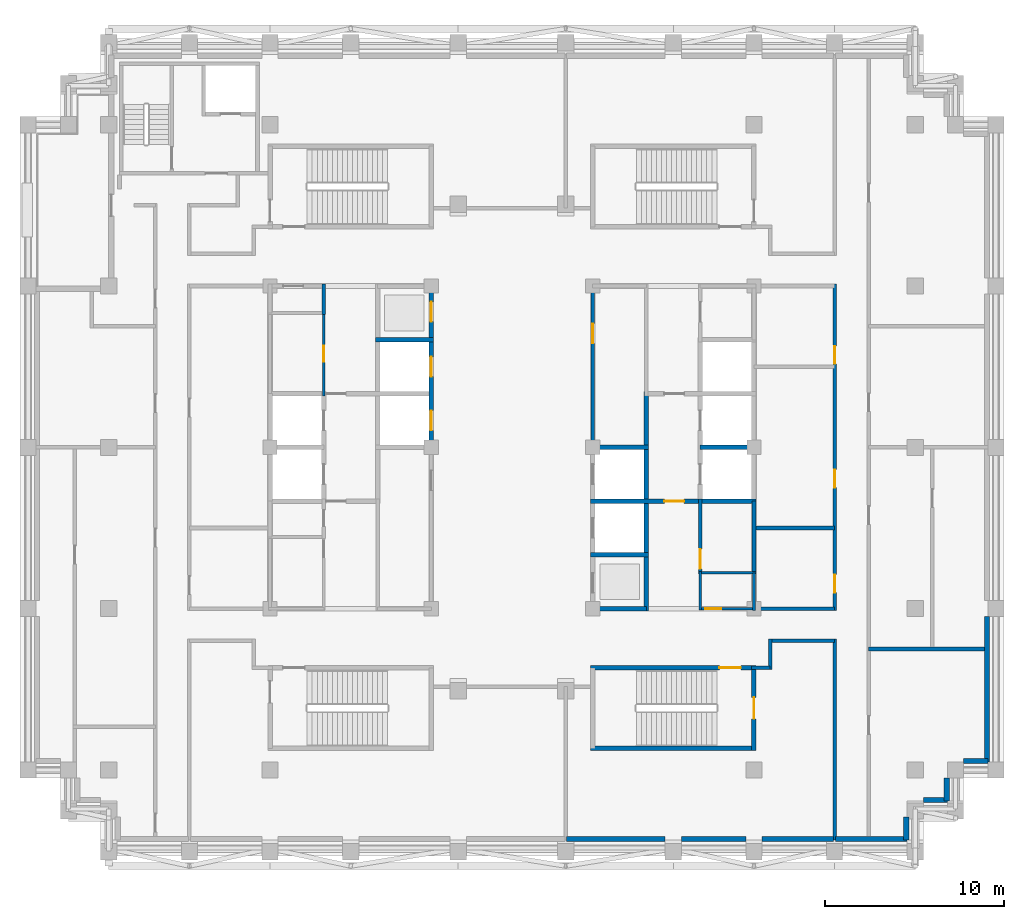
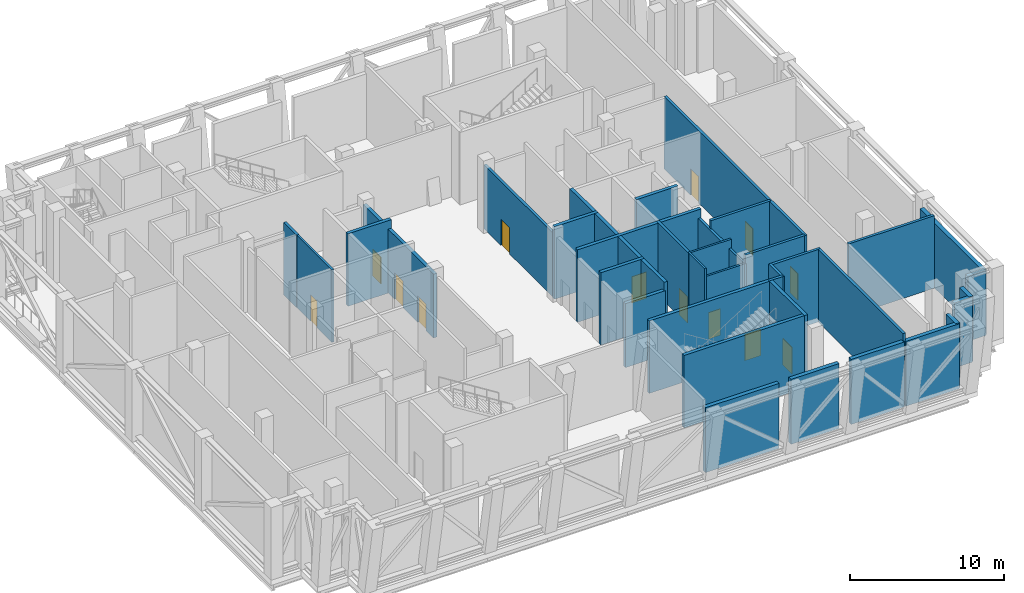
# One storey, part 5 of 11: 37 walls, 13 doors, 13 openings.
"""IFC4 building model written with IfcOpenShell, lengths in metres."""

from ifc_helpers import new_model, si_unit, direction, frame, frame_2d, origin, place, context, subcontext, project, spatial, rectangle, extrude, material, layer, layer_set, type_object, element, fill, save


model = new_model("IFC4")

# Units and contexts
model_context = context("Model", 3, precision=1e-05, world=origin(), true_north=direction((0.0, 1.0)))
body_context = subcontext(model_context, "Body", "Model", "MODEL_VIEW")
ifc_project = project(units=[si_unit("LENGTHUNIT", "METRE"), si_unit("AREAUNIT", "SQUARE_METRE"), si_unit("VOLUMEUNIT", "CUBIC_METRE"), si_unit("PLANEANGLEUNIT", "RADIAN"), si_unit("MASSUNIT", "GRAM", prefix="KILO")], contexts=[model_context])

# Site, building, storey
site_placement = place(None, origin())
site = spatial("IfcSite", under=ifc_project, at=site_placement, CompositionType="ELEMENT")
building_placement = place(site_placement, origin())
building = spatial("IfcBuilding", under=site, at=building_placement, Name="Corbelhall Arena Tower", CompositionType="ELEMENT")
storey_placement = place(building_placement, frame((0.0, 0.0, 294.0)))
storey = spatial("IfcBuildingStorey", under=building, at=storey_placement, Name="L64", CompositionType="ELEMENT", Elevation=294.0)

# Walls
ifc_material_1 = material(Name="Precast concrete C40/50 with granite facing", Category="masonry")
ifc_layer_1 = layer(ifc_material_1, 0.300048828125)
ifc_layer_set_1 = layer_set([ifc_layer_1], Name="EV-IW1 Infill panel 300")
wall_type_1 = type_object("IfcWallType", Name="EV-IW1 Infill panel 300", PredefinedType="SOLIDWALL", material=ifc_layer_set_1)
wall_1_placement = place(storey_placement, frame((3.050048828125, -21.85009765625, 0.0), z_axis=(0.0, 0.0, 1.0), x_axis=(1.0, 0.0, 0.0)))
element("IfcWall", 1, at=wall_1_placement, inside=storey, type_object=wall_type_1, Name="Infill panel IW1", PredefinedType="SOLIDWALL", context=body_context, shape_type="SweptSolid", body=[
    extrude(rectangle(XDim=5.5, YDim=0.300048828125, at=frame_2d((2.75, 0.0))), origin(), (0.0, 0.0, 1.0), 5.139892578125),
])
wall_2_placement = place(storey_placement, frame((9.449951171875, -21.85009765625, 0.0), z_axis=(0.0, 0.0, 1.0), x_axis=(1.0, 0.0, 0.0)))
element("IfcWall", 2, at=wall_2_placement, inside=storey, type_object=wall_type_1, Name="Infill panel IW1", PredefinedType="SOLIDWALL", context=body_context, shape_type="SweptSolid", body=[
    extrude(rectangle(XDim=3.60009765625, YDim=0.300048828125, at=frame_2d((1.800048828125, 0.0))), origin(), (0.0, 0.0, 1.0), 5.139892578125),
])
for number, where, z_axis, x_axis, name in (
    (3, (13.949951171875, -21.85009765625, 0.0), (0.0, 0.0, 1.0), (1.0, 0.0, 0.0), "Infill panel IW1"),
    (4, (18.050048828125, -21.85009765625, 0.0), (0.0, 0.0, 1.0), (1.0, 0.0, 0.0), "Infill panel IW1"),
):
    element("IfcWall", number, at=place(storey_placement, frame(where, z_axis=z_axis, x_axis=x_axis)), inside=storey, type_object=wall_type_1, Name=name, PredefinedType="SOLIDWALL", context=body_context, shape_type="SweptSolid", body=[
        extrude(rectangle(XDim=4.0, YDim=0.300048828125, at=frame_2d((2.0, 0.0))), origin(), (0.0, 0.0, 1.0), 5.139892578125),
    ])
wall_3_placement = place(storey_placement, frame((22.0, -21.89990234375, 0.0), z_axis=(0.0, 0.0, 1.0), x_axis=(0.0, 1.0, 0.0)))
element("IfcWall", 5, at=wall_3_placement, inside=storey, type_object=wall_type_1, Name="Infill panel IW1", PredefinedType="SOLIDWALL", context=body_context, shape_type="SweptSolid", body=[
    extrude(rectangle(XDim=1.27490234375, YDim=0.300048828125, at=frame_2d((0.637451171875, 0.0))), origin(), (0.0, 0.0, 1.0), 5.139892578125),
])
wall_4_placement = place(storey_placement, frame((22.949951171875, -19.675048828125, 0.0), z_axis=(0.0, 0.0, 1.0), x_axis=(1.0, 0.0, 0.0)))
element("IfcWall", 6, at=wall_4_placement, inside=storey, type_object=wall_type_1, Name="Infill panel IW1", PredefinedType="SOLIDWALL", context=body_context, shape_type="SweptSolid", body=[
    extrude(rectangle(XDim=1.35009765625, YDim=0.300048828125, at=frame_2d((0.675048828125, 0.0))), origin(), (0.0, 0.0, 1.0), 5.139892578125),
])
wall_5_placement = place(storey_placement, frame((24.25, -19.72509765625, 0.0), z_axis=(0.0, 0.0, 1.0), x_axis=(0.0, 1.0, 0.0)))
element("IfcWall", 7, at=wall_5_placement, inside=storey, type_object=wall_type_1, Name="Infill panel IW1", PredefinedType="SOLIDWALL", context=body_context, shape_type="SweptSolid", body=[
    extrude(rectangle(XDim=1.275146484375, YDim=0.300048828125, at=frame_2d((0.6376953125, 0.0))), origin(), (0.0, 0.0, 1.0), 5.139892578125),
])
wall_6_placement = place(storey_placement, frame((25.199951171875, -17.5, 0.0), z_axis=(0.0, 0.0, 1.0), x_axis=(1.0, 0.0, 0.0)))
element("IfcWall", 8, at=wall_6_placement, inside=storey, type_object=wall_type_1, Name="Infill panel IW1", PredefinedType="SOLIDWALL", context=body_context, shape_type="SweptSolid", body=[
    extrude(rectangle(XDim=1.35009765625, YDim=0.300048828125, at=frame_2d((0.675048828125, 0.0))), origin(), (0.0, 0.0, 1.0), 5.139892578125),
])
wall_7_placement = place(storey_placement, frame((26.5, -17.550048828125, 0.0), z_axis=(0.0, 0.0, 1.0), x_axis=(0.0, 1.0, 0.0)))
element("IfcWall", 9, at=wall_7_placement, inside=storey, type_object=wall_type_1, Name="Infill panel IW1", PredefinedType="SOLIDWALL", context=body_context, shape_type="SweptSolid", body=[
    extrude(rectangle(XDim=8.10009765625, YDim=0.300048828125, at=frame_2d((4.050048828125, 0.0))), origin(), (0.0, 0.0, 1.0), 5.139892578125),
])
ifc_material_2 = material(Name="Gypsum board on steel stud, acoustic", Category="steel")
ifc_layer_2 = layer(ifc_material_2, 0.199951171875)
ifc_layer_set_2 = layer_set([ifc_layer_2], Name="IN-W-DM200")
wall_type_2 = type_object("IfcWallType", Name="IN-W-DM200", PredefinedType="PARTITIONING", material=ifc_layer_set_2)
for number, where, z_axis, x_axis, name in (
    (10, (13.5, -9.0, 0.0), (0.0, 0.0, 1.0), (1.0, 0.0, 0.0), "Partition 028"),
    (11, (13.5, -4.5, 0.0), (0.0, 0.0, 1.0), (1.0, 0.0, 0.0), "Partition 029"),
):
    element("IfcWall", number, at=place(storey_placement, frame(where, z_axis=z_axis, x_axis=x_axis)), inside=storey, type_object=wall_type_2, Name=name, PredefinedType="PARTITIONING", context=body_context, shape_type="SweptSolid", body=[
        extrude(rectangle(XDim=4.5, YDim=0.199951171875, at=frame_2d((2.25, 0.0))), origin(), (0.0, 0.0, 1.0), 5.739990234375),
    ])
wall_8_placement = place(storey_placement, frame((14.39990234375, -12.300048828125, 0.0), z_axis=(0.0, 0.0, 1.0), x_axis=(-1.0, 0.0, 0.0)))
element("IfcWall", 12, at=wall_8_placement, inside=storey, type_object=wall_type_2, Name="Partition 031", PredefinedType="PARTITIONING", context=body_context, shape_type="SweptSolid", body=[
    extrude(rectangle(XDim=1.02490234375, YDim=0.199951171875, at=frame_2d((0.512451171875, 0.0))), origin(), (0.0, 0.0, 1.0), 5.739990234375),
])
wall_9_placement = place(storey_placement, frame((14.39990234375, -10.699951171875, 0.0), z_axis=(0.0, 0.0, 1.0), x_axis=(0.0, -1.0, 0.0)))
element("IfcWall", 13, at=wall_9_placement, inside=storey, type_object=wall_type_2, Name="Partition 032", PredefinedType="PARTITIONING", context=body_context, shape_type="SweptSolid", body=[
    extrude(rectangle(XDim=1.699951171875, YDim=0.199951171875, at=frame_2d((0.85009765625, 0.0))), origin(), (0.0, 0.0, 1.0), 5.739990234375),
])
wall_10_placement = place(storey_placement, frame((18.0, -21.89990234375, 0.0), z_axis=(0.0, 0.0, 1.0), x_axis=(0.0, 1.0, 0.0)))
element("IfcWall", 14, at=wall_10_placement, inside=storey, type_object=wall_type_2, Name="Partition 036", PredefinedType="PARTITIONING", context=body_context, shape_type="SweptSolid", body=[
    extrude(rectangle(XDim=11.199951171875, YDim=0.199951171875, at=frame_2d((5.60009765625, 0.0))), origin(), (0.0, 0.0, 1.0), 5.739990234375),
])
wall_11_placement = place(storey_placement, frame((18.0, -10.800048828125, 0.0), z_axis=(0.0, 0.0, 1.0), x_axis=(-1.0, 0.0, 0.0)))
element("IfcWall", 15, at=wall_11_placement, inside=storey, type_object=wall_type_2, Name="Partition 037", PredefinedType="PARTITIONING", context=body_context, shape_type="SweptSolid", body=[
    extrude(rectangle(XDim=3.60009765625, YDim=0.199951171875, at=frame_2d((1.800048828125, 0.0))), origin(), (0.0, 0.0, 1.0), 5.739990234375),
])

# Wall, openings, doors
wall_12_placement = place(storey_placement, frame((18.0, -9.10009765625, 0.0), z_axis=(0.0, 0.0, 1.0), x_axis=(0.0, 1.0, 0.0)))
wall_12 = element("IfcWall", 16, at=wall_12_placement, inside=storey, type_object=wall_type_2, Name="Partition 038", PredefinedType="PARTITIONING", context=body_context, shape_type="SweptSolid", body=[
    extrude(rectangle(XDim=18.2001953125, YDim=0.199951171875, at=frame_2d((9.10009765625, 0.0))), origin(), (0.0, 0.0, 1.0), 5.739990234375),
])
opening_1_placement = place(wall_12_placement, frame((1.0, 0.0, 0.0)))
opening_1 = element("IfcOpeningElement", 17, at=opening_1_placement, cuts=wall_12, Name="Opening 29019", PredefinedType="OPENING", context=body_context, shape_type="SweptSolid", body=[
    extrude(rectangle(XDim=1.0, YDim=2.10009765625, at=frame_2d((0.5, 1.050048828125))), frame((0.0, 0.10009765625, 0.0), z_axis=(0.0, -1.0, 0.0), x_axis=(1.0, 0.0, 0.0)), (0.0, 0.0, 1.0), 0.199951171875),
])
opening_2_placement = place(wall_12_placement, frame((6.85009765625, 0.0, 0.0)))
opening_2 = element("IfcOpeningElement", 18, at=opening_2_placement, cuts=wall_12, Name="Opening 29020", PredefinedType="OPENING", context=body_context, shape_type="SweptSolid", body=[
    extrude(rectangle(XDim=1.0, YDim=2.10009765625, at=frame_2d((0.5, 1.050048828125))), frame((0.0, 0.10009765625, 0.0), z_axis=(0.0, -1.0, 0.0), x_axis=(1.0, 0.0, 0.0)), (0.0, 0.0, 1.0), 0.199951171875),
])
opening_3_placement = place(wall_12_placement, frame((13.75, 0.0, 0.0)))
opening_3 = element("IfcOpeningElement", 19, at=opening_3_placement, cuts=wall_12, Name="Opening 29021", PredefinedType="OPENING", context=body_context, shape_type="SweptSolid", body=[
    extrude(rectangle(XDim=1.0, YDim=2.10009765625, at=frame_2d((0.5, 1.050048828125))), frame((0.0, 0.10009765625, 0.0), z_axis=(0.0, -1.0, 0.0), x_axis=(1.0, 0.0, 0.0)), (0.0, 0.0, 1.0), 0.199951171875),
])
ifc_material_3 = material(Name="Steel door set", Category="steel")
door_type_1 = type_object("IfcDoorType", Name="IN-D-SW100", OperationType="NOTDEFINED", PredefinedType="DOOR", material=ifc_material_3)
door_1_placement = place(opening_1_placement, origin())
door_1 = element("IfcDoor", 20, at=door_1_placement, inside=storey, type_object=door_type_1, Name="Door 019", OperationType="SINGLE_SWING_RIGHT", OverallHeight=2.10009765625, OverallWidth=1.0, PredefinedType="DOOR", context=body_context, shape_type="SweptSolid", body=[
    extrude(rectangle(XDim=1.0, YDim=2.10009765625, at=frame_2d((0.5, 1.050048828125))), frame((0.0, 0.02490234375, 0.0), z_axis=(0.0, -1.0, 0.0), x_axis=(1.0, 0.0, 0.0)), (0.0, 0.0, 1.0), 0.050048828125),
])
fill(opening_1, door_1)
door_2_placement = place(opening_2_placement, origin())
door_2 = element("IfcDoor", 21, at=door_2_placement, inside=storey, type_object=door_type_1, Name="Door 020", OperationType="SINGLE_SWING_LEFT", OverallHeight=2.10009765625, OverallWidth=1.0, PredefinedType="DOOR", context=body_context, shape_type="SweptSolid", body=[
    extrude(rectangle(XDim=1.0, YDim=2.10009765625, at=frame_2d((0.5, 1.050048828125))), frame((0.0, 0.02490234375, 0.0), z_axis=(0.0, -1.0, 0.0), x_axis=(1.0, 0.0, 0.0)), (0.0, 0.0, 1.0), 0.050048828125),
])
fill(opening_2, door_2)
door_3_placement = place(opening_3_placement, origin())
door_3 = element("IfcDoor", 22, at=door_3_placement, inside=storey, type_object=door_type_1, Name="Door 021", OperationType="SINGLE_SWING_RIGHT", OverallHeight=2.10009765625, OverallWidth=1.0, PredefinedType="DOOR", context=body_context, shape_type="SweptSolid", body=[
    extrude(rectangle(XDim=1.0, YDim=2.10009765625, at=frame_2d((0.5, 1.050048828125))), frame((0.0, 0.02490234375, 0.0), z_axis=(0.0, -1.0, 0.0), x_axis=(1.0, 0.0, 0.0)), (0.0, 0.0, 1.0), 0.050048828125),
])
fill(opening_3, door_3)

# Walls
wall_13_placement = place(storey_placement, frame((19.89990234375, -11.25, 0.0), z_axis=(0.0, 0.0, 1.0), x_axis=(1.0, 0.0, 0.0)))
element("IfcWall", 23, at=wall_13_placement, inside=storey, type_object=wall_type_2, Name="Partition 040", PredefinedType="PARTITIONING", context=body_context, shape_type="SweptSolid", body=[
    extrude(rectangle(XDim=6.4501953125, YDim=0.199951171875, at=frame_2d((3.22509765625, 0.0))), origin(), (0.0, 0.0, 1.0), 5.739990234375),
])
ifc_material_4 = material(Name="Concrete block wall", Category="concrete")
ifc_layer_3 = layer(ifc_material_4, 0.199951171875)
ifc_layer_set_3 = layer_set([ifc_layer_3], Name="IN-W-RS200")
wall_type_3 = type_object("IfcWallType", Name="IN-W-RS200", PredefinedType="SOLIDWALL", material=ifc_layer_set_3)
wall_14_placement = place(storey_placement, frame((-10.5, 7.425048828125, 0.0), z_axis=(0.0, 0.0, 1.0), x_axis=(0.0, 1.0, 0.0)))
element("IfcWall", 24, at=wall_14_placement, inside=storey, type_object=wall_type_3, Name="Partition 049", PredefinedType="SOLIDWALL", context=body_context, shape_type="SweptSolid", body=[
    extrude(rectangle(XDim=1.675048828125, YDim=0.199951171875, at=frame_2d((0.83740234375, 0.0))), origin(), (0.0, 0.0, 1.0), 5.739990234375),
])

# Wall, opening, door
wall_15_placement = place(storey_placement, frame((10.5, -2.875, 0.0), z_axis=(0.0, 0.0, 1.0), x_axis=(0.0, -1.0, 0.0)))
wall_15 = element("IfcWall", 25, at=wall_15_placement, inside=storey, type_object=wall_type_3, Name="Partition 056", PredefinedType="SOLIDWALL", context=body_context, shape_type="SweptSolid", body=[
    extrude(rectangle(XDim=4.199951171875, YDim=0.199951171875, at=frame_2d((2.10009765625, 0.0))), origin(), (0.0, 0.0, 1.0), 5.739990234375),
])
opening_4_placement = place(wall_15_placement, frame((2.800048828125, 0.0, 0.0)))
opening_4 = element("IfcOpeningElement", 26, at=opening_4_placement, cuts=wall_15, Name="Opening 29011", PredefinedType="OPENING", context=body_context, shape_type="SweptSolid", body=[
    extrude(rectangle(XDim=1.10009765625, YDim=2.10009765625, at=frame_2d((0.550048828125, 1.050048828125))), frame((0.0, 0.10009765625, 0.0), z_axis=(0.0, -1.0, 0.0), x_axis=(1.0, 0.0, 0.0)), (0.0, 0.0, 1.0), 0.199951171875),
])
door_type_2 = type_object("IfcDoorType", Name="IN-D-FD110", OperationType="NOTDEFINED", PredefinedType="DOOR", material=ifc_material_3)
door_4_placement = place(opening_4_placement, origin())
door_4 = element("IfcDoor", 27, at=door_4_placement, inside=storey, type_object=door_type_2, Name="Door 011", OperationType="SINGLE_SWING_RIGHT", OverallHeight=2.10009765625, OverallWidth=1.10009765625, PredefinedType="DOOR", context=body_context, shape_type="SweptSolid", body=[
    extrude(rectangle(XDim=1.10009765625, YDim=2.10009765625, at=frame_2d((0.550048828125, 1.050048828125))), frame((0.0, 0.02490234375, 0.0), z_axis=(0.0, -1.0, 0.0), x_axis=(1.0, 0.0, 0.0)), (0.0, 0.0, 1.0), 0.050048828125),
])
fill(opening_4, door_4)

ifc_layer_4 = layer(ifc_material_4, 0.199951171875)
ifc_layer_set_4 = layer_set([ifc_layer_4], Name="IN-W-RS200 under beam 678 mm")
wall_type_4 = type_object("IfcWallType", Name="IN-W-RS200 under beam 678 mm", PredefinedType="SOLIDWALL", material=ifc_layer_set_4)
wall_16_placement = place(storey_placement, frame((4.5, 0.0, 0.0), z_axis=(0.0, 0.0, 1.0), x_axis=(0.0, 1.0, 0.0)))
wall_16 = element("IfcWall", 28, at=wall_16_placement, inside=storey, type_object=wall_type_4, Name="Partition 053", PredefinedType="SOLIDWALL", context=body_context, shape_type="SweptSolid", body=[
    extrude(rectangle(XDim=9.10009765625, YDim=0.199951171875, at=frame_2d((4.550048828125, 0.0))), origin(), (0.0, 0.0, 1.0), 5.061767578125),
])
opening_5_placement = place(wall_16_placement, frame((5.800048828125, 0.0, 0.0)))
opening_5 = element("IfcOpeningElement", 29, at=opening_5_placement, cuts=wall_16, Name="Opening 29007", PredefinedType="OPENING", context=body_context, shape_type="SweptSolid", body=[
    extrude(rectangle(XDim=1.10009765625, YDim=2.10009765625, at=frame_2d((0.550048828125, 1.050048828125))), frame((0.0, 0.10009765625, 0.0), z_axis=(0.0, -1.0, 0.0), x_axis=(1.0, 0.0, 0.0)), (0.0, 0.0, 1.0), 0.199951171875),
])
door_5_placement = place(opening_5_placement, origin())
door_5 = element("IfcDoor", 30, at=door_5_placement, inside=storey, type_object=door_type_2, Name="Door 007", OperationType="SINGLE_SWING_RIGHT", OverallHeight=2.10009765625, OverallWidth=1.10009765625, PredefinedType="DOOR", context=body_context, shape_type="SweptSolid", body=[
    extrude(rectangle(XDim=1.10009765625, YDim=2.10009765625, at=frame_2d((0.550048828125, 1.050048828125))), frame((0.0, 0.02490234375, 0.0), z_axis=(0.0, -1.0, 0.0), x_axis=(1.0, 0.0, 0.0)), (0.0, 0.0, 1.0), 0.050048828125),
])
fill(opening_5, door_5)

# Walls
wall_17_placement = place(storey_placement, frame((13.5, -3.0, 0.0), z_axis=(0.0, 0.0, 1.0), x_axis=(0.0, -1.0, 0.0)))
element("IfcWall", 31, at=wall_17_placement, inside=storey, type_object=wall_type_4, Name="Partition 059", PredefinedType="SOLIDWALL", context=body_context, shape_type="SweptSolid", body=[
    extrude(rectangle(XDim=4.0, YDim=0.199951171875, at=frame_2d((2.0, 0.0))), origin(), (0.0, 0.0, 1.0), 5.061767578125),
])
ifc_material_5 = material(Name="Concrete C40/50", Category="concrete")
ifc_layer_5 = layer(ifc_material_5, 0.25)
ifc_layer_set_5 = layer_set([ifc_layer_5], Name="IN-W-SH250")
wall_type_5 = type_object("IfcWallType", Name="IN-W-SH250", PredefinedType="SOLIDWALL", material=ifc_layer_set_5)
for number, where, z_axis, x_axis, name in (
    (32, (-7.625, 6.0, 0.0), (0.0, 0.0, 1.0), (1.0, 0.0, 0.0), "Shaft wall 067"),
    (33, (4.375, -6.0, 0.0), (0.0, 0.0, 1.0), (1.0, 0.0, 0.0), "Shaft wall 071"),
):
    element("IfcWall", number, at=place(storey_placement, frame(where, z_axis=z_axis, x_axis=x_axis)), inside=storey, type_object=wall_type_5, Name=name, PredefinedType="SOLIDWALL", context=body_context, shape_type="SweptSolid", body=[
        extrude(rectangle(XDim=3.25, YDim=0.25, at=frame_2d((1.625, 0.0))), origin(), (0.0, 0.0, 1.0), 5.739990234375),
    ])

# Wall, opening, door
wall_18_placement = place(storey_placement, frame((4.375, -3.0, 0.0), z_axis=(0.0, 0.0, 1.0), x_axis=(1.0, 0.0, 0.0)))
wall_18 = element("IfcWall", 34, at=wall_18_placement, inside=storey, type_object=wall_type_5, Name="Shaft wall 072", PredefinedType="SOLIDWALL", context=body_context, shape_type="SweptSolid", body=[
    extrude(rectangle(XDim=9.25, YDim=0.25, at=frame_2d((4.625, 0.0))), origin(), (0.0, 0.0, 1.0), 5.739990234375),
])
opening_6_placement = place(wall_18_placement, frame((4.125, 0.0, 0.0)))
opening_6 = element("IfcOpeningElement", 35, at=opening_6_placement, cuts=wall_18, Name="Opening 29008", PredefinedType="OPENING", context=body_context, shape_type="SweptSolid", body=[
    extrude(rectangle(XDim=1.10009765625, YDim=2.10009765625, at=frame_2d((0.550048828125, 1.050048828125))), frame((0.0, 0.125, 0.0), z_axis=(0.0, -1.0, 0.0), x_axis=(1.0, 0.0, 0.0)), (0.0, 0.0, 1.0), 0.25),
])
door_6_placement = place(opening_6_placement, origin())
door_6 = element("IfcDoor", 36, at=door_6_placement, inside=storey, type_object=door_type_2, Name="Door 008", OperationType="SINGLE_SWING_LEFT", OverallHeight=2.10009765625, OverallWidth=1.10009765625, PredefinedType="DOOR", context=body_context, shape_type="SweptSolid", body=[
    extrude(rectangle(XDim=1.10009765625, YDim=2.10009765625, at=frame_2d((0.550048828125, 1.050048828125))), frame((0.0, 0.02490234375, 0.0), z_axis=(0.0, -1.0, 0.0), x_axis=(1.0, 0.0, 0.0)), (0.0, 0.0, 1.0), 0.050048828125),
])
fill(opening_6, door_6)

# Walls
wall_19_placement = place(storey_placement, frame((4.375, 0.0, 0.0), z_axis=(0.0, 0.0, 1.0), x_axis=(1.0, 0.0, 0.0)))
element("IfcWall", 37, at=wall_19_placement, inside=storey, type_object=wall_type_5, Name="Shaft wall 073", PredefinedType="SOLIDWALL", context=body_context, shape_type="SweptSolid", body=[
    extrude(rectangle(XDim=3.25, YDim=0.25, at=frame_2d((1.625, 0.0))), origin(), (0.0, 0.0, 1.0), 5.739990234375),
])
wall_20_placement = place(storey_placement, frame((7.5, 3.125, 0.0), z_axis=(0.0, 0.0, 1.0), x_axis=(0.0, -1.0, 0.0)))
element("IfcWall", 38, at=wall_20_placement, inside=storey, type_object=wall_type_5, Name="Shaft wall 076", PredefinedType="SOLIDWALL", context=body_context, shape_type="SweptSolid", body=[
    extrude(rectangle(XDim=12.25, YDim=0.25, at=frame_2d((6.125, 0.0))), origin(), (0.0, 0.0, 1.0), 5.739990234375),
])
wall_21_placement = place(storey_placement, frame((10.5, 0.0, 0.0), z_axis=(0.0, 0.0, 1.0), x_axis=(1.0, 0.0, 0.0)))
element("IfcWall", 39, at=wall_21_placement, inside=storey, type_object=wall_type_5, Name="Shaft wall 078", PredefinedType="SOLIDWALL", context=body_context, shape_type="SweptSolid", body=[
    extrude(rectangle(XDim=3.125, YDim=0.25, at=frame_2d((1.5625, 0.0))), origin(), (0.0, 0.0, 1.0), 5.739990234375),
])

# Wall, openings, doors
ifc_layer_6 = layer(ifc_material_5, 0.25)
ifc_layer_set_6 = layer_set([ifc_layer_6], Name="IN-W-SH250 under beam 678 mm")
wall_type_6 = type_object("IfcWallType", Name="IN-W-SH250 under beam 678 mm", PredefinedType="SOLIDWALL", material=ifc_layer_set_6)
wall_22_placement = place(storey_placement, frame((-4.5, 9.125, 0.0), z_axis=(0.0, 0.0, 1.0), x_axis=(0.0, -1.0, 0.0)))
wall_22 = element("IfcWall", 40, at=wall_22_placement, inside=storey, type_object=wall_type_6, Name="Shaft wall 070", PredefinedType="SOLIDWALL", context=body_context, shape_type="SweptSolid", body=[
    extrude(rectangle(XDim=9.125, YDim=0.25, at=frame_2d((4.5625, 0.0))), origin(), (0.0, 0.0, 1.0), 5.061767578125),
])
opening_7_placement = place(wall_22_placement, frame((7.074951171875, 0.0, 0.0)))
opening_7 = element("IfcOpeningElement", 41, at=opening_7_placement, cuts=wall_22, Name="Opening LD", PredefinedType="OPENING", context=body_context, shape_type="SweptSolid", body=[
    extrude(rectangle(XDim=1.10009765625, YDim=2.10009765625, at=frame_2d((0.550048828125, 1.050048828125))), frame((0.0, 0.125, 0.0), z_axis=(0.0, -1.0, 0.0), x_axis=(1.0, 0.0, 0.0)), (0.0, 0.0, 1.0), 0.25),
])
opening_8_placement = place(wall_22_placement, frame((4.074951171875, 0.0, 0.0)))
opening_8 = element("IfcOpeningElement", 42, at=opening_8_placement, cuts=wall_22, Name="Opening LD", PredefinedType="OPENING", context=body_context, shape_type="SweptSolid", body=[
    extrude(rectangle(XDim=1.10009765625, YDim=2.10009765625, at=frame_2d((0.550048828125, 1.050048828125))), frame((0.0, 0.125, 0.0), z_axis=(0.0, -1.0, 0.0), x_axis=(1.0, 0.0, 0.0)), (0.0, 0.0, 1.0), 0.25),
])
opening_9_placement = place(wall_22_placement, frame((1.012451171875, 0.0, 0.0)))
opening_9 = element("IfcOpeningElement", 43, at=opening_9_placement, cuts=wall_22, Name="Opening LD", PredefinedType="OPENING", context=body_context, shape_type="SweptSolid", body=[
    extrude(rectangle(XDim=1.10009765625, YDim=2.10009765625, at=frame_2d((0.550048828125, 1.050048828125))), frame((0.0, 0.125, 0.0), z_axis=(0.0, -1.0, 0.0), x_axis=(1.0, 0.0, 0.0)), (0.0, 0.0, 1.0), 0.25),
])
door_type_3 = type_object("IfcDoorType", Name="IN-D-LD110", OperationType="NOTDEFINED", PredefinedType="DOOR", material=ifc_material_3)
door_7_placement = place(opening_7_placement, origin())
door_7 = element("IfcDoor", 44, at=door_7_placement, inside=storey, type_object=door_type_3, Name="Landing door W4", OperationType="SLIDING_TO_LEFT", OverallHeight=2.10009765625, OverallWidth=1.10009765625, PredefinedType="DOOR", context=body_context, shape_type="SweptSolid", body=[
    extrude(rectangle(XDim=1.10009765625, YDim=2.10009765625, at=frame_2d((0.550048828125, 1.050048828125))), frame((0.0, 0.02490234375, 0.0), z_axis=(0.0, -1.0, 0.0), x_axis=(1.0, 0.0, 0.0)), (0.0, 0.0, 1.0), 0.050048828125),
])
fill(opening_7, door_7)
door_8_placement = place(opening_8_placement, origin())
door_8 = element("IfcDoor", 45, at=door_8_placement, inside=storey, type_object=door_type_3, Name="Landing door W5", OperationType="SLIDING_TO_LEFT", OverallHeight=2.10009765625, OverallWidth=1.10009765625, PredefinedType="DOOR", context=body_context, shape_type="SweptSolid", body=[
    extrude(rectangle(XDim=1.10009765625, YDim=2.10009765625, at=frame_2d((0.550048828125, 1.050048828125))), frame((0.0, 0.02490234375, 0.0), z_axis=(0.0, -1.0, 0.0), x_axis=(1.0, 0.0, 0.0)), (0.0, 0.0, 1.0), 0.050048828125),
])
fill(opening_8, door_8)
door_9_placement = place(opening_9_placement, origin())
door_9 = element("IfcDoor", 46, at=door_9_placement, inside=storey, type_object=door_type_3, Name="Landing door W6", OperationType="SLIDING_TO_LEFT", OverallHeight=2.10009765625, OverallWidth=1.10009765625, PredefinedType="DOOR", context=body_context, shape_type="SweptSolid", body=[
    extrude(rectangle(XDim=1.10009765625, YDim=2.10009765625, at=frame_2d((0.550048828125, 1.050048828125))), frame((0.0, 0.02490234375, 0.0), z_axis=(0.0, -1.0, 0.0), x_axis=(1.0, 0.0, 0.0)), (0.0, 0.0, 1.0), 0.050048828125),
])
fill(opening_9, door_9)

# Walls
wall_23_placement = place(storey_placement, frame((7.5, -9.0, 0.0), z_axis=(0.0, 0.0, 1.0), x_axis=(-1.0, 0.0, 0.0)))
element("IfcWall", 47, at=wall_23_placement, inside=storey, type_object=wall_type_6, Name="Shaft wall 075", PredefinedType="SOLIDWALL", context=body_context, shape_type="SweptSolid", body=[
    extrude(rectangle(XDim=3.0, YDim=0.25, at=frame_2d((1.5, 0.0))), origin(), (0.0, 0.0, 1.0), 5.061767578125),
])
ifc_layer_7 = layer(ifc_material_5, 0.25)
ifc_layer_set_7 = layer_set([ifc_layer_7], Name="IN-W-ST250")
wall_type_7 = type_object("IfcWallType", Name="IN-W-ST250", PredefinedType="SOLIDWALL", material=ifc_layer_set_7)
wall_24_placement = place(storey_placement, frame((13.5, -16.800048828125, 0.0), z_axis=(0.0, 0.0, 1.0), x_axis=(-1.0, 0.0, 0.0)))
element("IfcWall", 48, at=wall_24_placement, inside=storey, type_object=wall_type_7, Name="Shaft wall 094", PredefinedType="SOLIDWALL", context=body_context, shape_type="SweptSolid", body=[
    extrude(rectangle(XDim=9.125, YDim=0.25, at=frame_2d((4.5625, 0.0))), origin(), (0.0, 0.0, 1.0), 5.739990234375),
])

# Wall, opening, door
wall_25_placement = place(storey_placement, frame((13.5, -12.300048828125, 0.0), z_axis=(0.0, 0.0, 1.0), x_axis=(0.0, -1.0, 0.0)))
wall_25 = element("IfcWall", 49, at=wall_25_placement, inside=storey, type_object=wall_type_7, Name="Shaft wall 095", PredefinedType="SOLIDWALL", context=body_context, shape_type="SweptSolid", body=[
    extrude(rectangle(XDim=4.625, YDim=0.25, at=frame_2d((2.3125, 0.0))), origin(), (0.0, 0.0, 1.0), 5.739990234375),
])
opening_10_placement = place(wall_25_placement, frame((1.64990234375, 0.0, 0.0)))
opening_10 = element("IfcOpeningElement", 50, at=opening_10_placement, cuts=wall_25, Name="Opening 29025", PredefinedType="OPENING", context=body_context, shape_type="SweptSolid", body=[
    extrude(rectangle(XDim=1.199951171875, YDim=2.10009765625, at=frame_2d((0.60009765625, 1.050048828125))), frame((0.0, 0.125, 0.0), z_axis=(0.0, -1.0, 0.0), x_axis=(1.0, 0.0, 0.0)), (0.0, 0.0, 1.0), 0.25),
])
door_type_4 = type_object("IfcDoorType", Name="IN-D-ST120", OperationType="NOTDEFINED", PredefinedType="DOOR", material=ifc_material_3)
door_10_placement = place(opening_10_placement, origin())
door_10 = element("IfcDoor", 51, at=door_10_placement, inside=storey, type_object=door_type_4, Name="Door 025", OperationType="SINGLE_SWING_RIGHT", OverallHeight=2.10009765625, OverallWidth=1.199951171875, PredefinedType="DOOR", context=body_context, shape_type="SweptSolid", body=[
    extrude(rectangle(XDim=1.199951171875, YDim=2.10009765625, at=frame_2d((0.60009765625, 1.050048828125))), frame((0.0, 0.02490234375, 0.0), z_axis=(0.0, -1.0, 0.0), x_axis=(1.0, 0.0, 0.0)), (0.0, 0.0, 1.0), 0.050048828125),
])
fill(opening_10, door_10)

wall_26_placement = place(storey_placement, frame((13.625, -12.300048828125, 0.0), z_axis=(0.0, 0.0, 1.0), x_axis=(-1.0, 0.0, 0.0)))
wall_26 = element("IfcWall", 52, at=wall_26_placement, inside=storey, type_object=wall_type_7, Name="Shaft wall 097", PredefinedType="SOLIDWALL", context=body_context, shape_type="SweptSolid", body=[
    extrude(rectangle(XDim=9.25, YDim=0.25, at=frame_2d((4.625, 0.0))), origin(), (0.0, 0.0, 1.0), 5.739990234375),
])
opening_11_placement = place(wall_26_placement, frame((0.85009765625, 0.0, 0.0)))
opening_11 = element("IfcOpeningElement", 53, at=opening_11_placement, cuts=wall_26, Name="Opening 29016", PredefinedType="OPENING", context=body_context, shape_type="SweptSolid", body=[
    extrude(rectangle(XDim=1.199951171875, YDim=2.10009765625, at=frame_2d((0.60009765625, 1.050048828125))), frame((0.0, 0.125, 0.0), z_axis=(0.0, -1.0, 0.0), x_axis=(1.0, 0.0, 0.0)), (0.0, 0.0, 1.0), 0.25),
])
door_11_placement = place(opening_11_placement, origin())
door_11 = element("IfcDoor", 54, at=door_11_placement, inside=storey, type_object=door_type_4, Name="Door 016", OperationType="SINGLE_SWING_LEFT", OverallHeight=2.10009765625, OverallWidth=1.199951171875, PredefinedType="DOOR", context=body_context, shape_type="SweptSolid", body=[
    extrude(rectangle(XDim=1.199951171875, YDim=2.10009765625, at=frame_2d((0.60009765625, 1.050048828125))), frame((0.0, 0.02490234375, 0.0), z_axis=(0.0, -1.0, 0.0), x_axis=(1.0, 0.0, 0.0)), (0.0, 0.0, 1.0), 0.050048828125),
])
fill(opening_11, door_11)

ifc_material_6 = material(Name="Gypsum board on steel stud, moisture resistant", Category="steel")
ifc_layer_8 = layer(ifc_material_6, 0.14990234375)
ifc_layer_set_8 = layer_set([ifc_layer_8], Name="IN-W-WC150")
wall_type_8 = type_object("IfcWallType", Name="IN-W-WC150", PredefinedType="PARTITIONING", material=ifc_layer_set_8)
wall_27_placement = place(storey_placement, frame((-10.5, 2.875, 0.0), z_axis=(0.0, 0.0, 1.0), x_axis=(0.0, 1.0, 0.0)))
wall_27 = element("IfcWall", 55, at=wall_27_placement, inside=storey, type_object=wall_type_8, Name="Partition 104", PredefinedType="PARTITIONING", context=body_context, shape_type="SweptSolid", body=[
    extrude(rectangle(XDim=4.699951171875, YDim=0.14990234375, at=frame_2d((2.35009765625, 0.0))), origin(), (0.0, 0.0, 1.0), 5.739990234375),
])
opening_12_placement = place(wall_27_placement, frame((1.89990234375, 0.0, 0.0)))
opening_12 = element("IfcOpeningElement", 56, at=opening_12_placement, cuts=wall_27, Name="Opening 29005", PredefinedType="OPENING", context=body_context, shape_type="SweptSolid", body=[
    extrude(rectangle(XDim=0.89990234375, YDim=2.10009765625, at=frame_2d((0.449951171875, 1.050048828125))), frame((0.0, 0.074951171875, 0.0), z_axis=(0.0, -1.0, 0.0), x_axis=(1.0, 0.0, 0.0)), (0.0, 0.0, 1.0), 0.14990234375),
])
ifc_material_7 = material(Name="Timber door set", Category="wood")
door_type_5 = type_object("IfcDoorType", Name="IN-D-SW90", OperationType="NOTDEFINED", PredefinedType="DOOR", material=ifc_material_7)
door_12_placement = place(opening_12_placement, origin())
door_12 = element("IfcDoor", 57, at=door_12_placement, inside=storey, type_object=door_type_5, Name="Door 005", OperationType="SINGLE_SWING_RIGHT", OverallHeight=2.10009765625, OverallWidth=0.89990234375, PredefinedType="DOOR", context=body_context, shape_type="SweptSolid", body=[
    extrude(rectangle(XDim=0.89990234375, YDim=2.10009765625, at=frame_2d((0.449951171875, 1.050048828125))), frame((0.0, 0.02490234375, 0.0), z_axis=(0.0, -1.0, 0.0), x_axis=(1.0, 0.0, 0.0)), (0.0, 0.0, 1.0), 0.050048828125),
])
fill(opening_12, door_12)

# Walls
wall_28_placement = place(storey_placement, frame((10.5, -7.0, 0.0), z_axis=(0.0, 0.0, 1.0), x_axis=(1.0, 0.0, 0.0)))
element("IfcWall", 58, at=wall_28_placement, inside=storey, type_object=wall_type_8, Name="Partition 105", PredefinedType="PARTITIONING", context=body_context, shape_type="SweptSolid", body=[
    extrude(rectangle(XDim=3.10009765625, YDim=0.14990234375, at=frame_2d((1.550048828125, 0.0))), origin(), (0.0, 0.0, 1.0), 5.739990234375),
])
wall_29_placement = place(storey_placement, frame((10.5, -6.925048828125, 0.0), z_axis=(0.0, 0.0, 1.0), x_axis=(0.0, -1.0, 0.0)))
element("IfcWall", 59, at=wall_29_placement, inside=storey, type_object=wall_type_8, Name="Partition 106", PredefinedType="PARTITIONING", context=body_context, shape_type="SweptSolid", body=[
    extrude(rectangle(XDim=2.14990234375, YDim=0.14990234375, at=frame_2d((1.074951171875, 0.0))), origin(), (0.0, 0.0, 1.0), 5.739990234375),
])
ifc_layer_9 = layer(ifc_material_6, 0.14990234375)
ifc_layer_set_9 = layer_set([ifc_layer_9], Name="IN-W-WC150 under beam 678 mm")
wall_type_9 = type_object("IfcWallType", Name="IN-W-WC150 under beam 678 mm", PredefinedType="PARTITIONING", material=ifc_layer_set_9)
wall_30_placement = place(storey_placement, frame((13.5, -7.0, 0.0), z_axis=(0.0, 0.0, 1.0), x_axis=(0.0, -1.0, 0.0)))
element("IfcWall", 60, at=wall_30_placement, inside=storey, type_object=wall_type_9, Name="Partition 107", PredefinedType="PARTITIONING", context=body_context, shape_type="SweptSolid", body=[
    extrude(rectangle(XDim=2.10009765625, YDim=0.14990234375, at=frame_2d((1.050048828125, 0.0))), origin(), (0.0, 0.0, 1.0), 5.061767578125),
])

# Wall, opening, door
wall_31_placement = place(storey_placement, frame((13.574951171875, -9.0, 0.0), z_axis=(0.0, 0.0, 1.0), x_axis=(-1.0, 0.0, 0.0)))
wall_31 = element("IfcWall", 61, at=wall_31_placement, inside=storey, type_object=wall_type_9, Name="Partition 108", PredefinedType="PARTITIONING", context=body_context, shape_type="SweptSolid", body=[
    extrude(rectangle(XDim=3.074951171875, YDim=0.14990234375, at=frame_2d((1.53759765625, 0.0))), origin(), (0.0, 0.0, 1.0), 5.061767578125),
])
opening_13_placement = place(wall_31_placement, frame((1.89990234375, 0.0, 0.0)))
opening_13 = element("IfcOpeningElement", 62, at=opening_13_placement, cuts=wall_31, Name="Opening 29010", PredefinedType="OPENING", context=body_context, shape_type="SweptSolid", body=[
    extrude(rectangle(XDim=0.89990234375, YDim=2.10009765625, at=frame_2d((0.449951171875, 1.050048828125))), frame((0.0, 0.074951171875, 0.0), z_axis=(0.0, -1.0, 0.0), x_axis=(1.0, 0.0, 0.0)), (0.0, 0.0, 1.0), 0.14990234375),
])
door_13_placement = place(opening_13_placement, origin())
door_13 = element("IfcDoor", 63, at=door_13_placement, inside=storey, type_object=door_type_5, Name="Door 010", OperationType="SINGLE_SWING_LEFT", OverallHeight=2.10009765625, OverallWidth=0.89990234375, PredefinedType="DOOR", context=body_context, shape_type="SweptSolid", body=[
    extrude(rectangle(XDim=0.89990234375, YDim=2.10009765625, at=frame_2d((0.449951171875, 1.050048828125))), frame((0.0, 0.02490234375, 0.0), z_axis=(0.0, -1.0, 0.0), x_axis=(1.0, 0.0, 0.0)), (0.0, 0.0, 1.0), 0.050048828125),
])
fill(opening_13, door_13)

save(model, "model.ifc")
